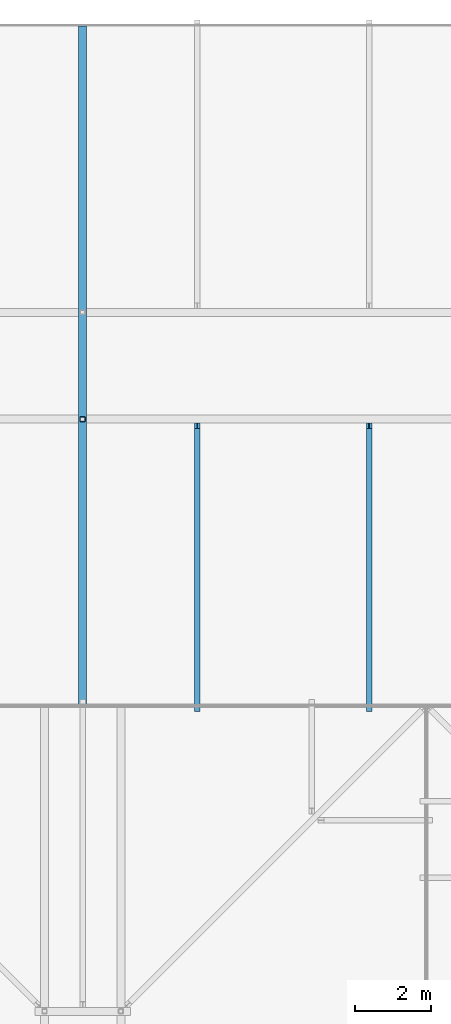
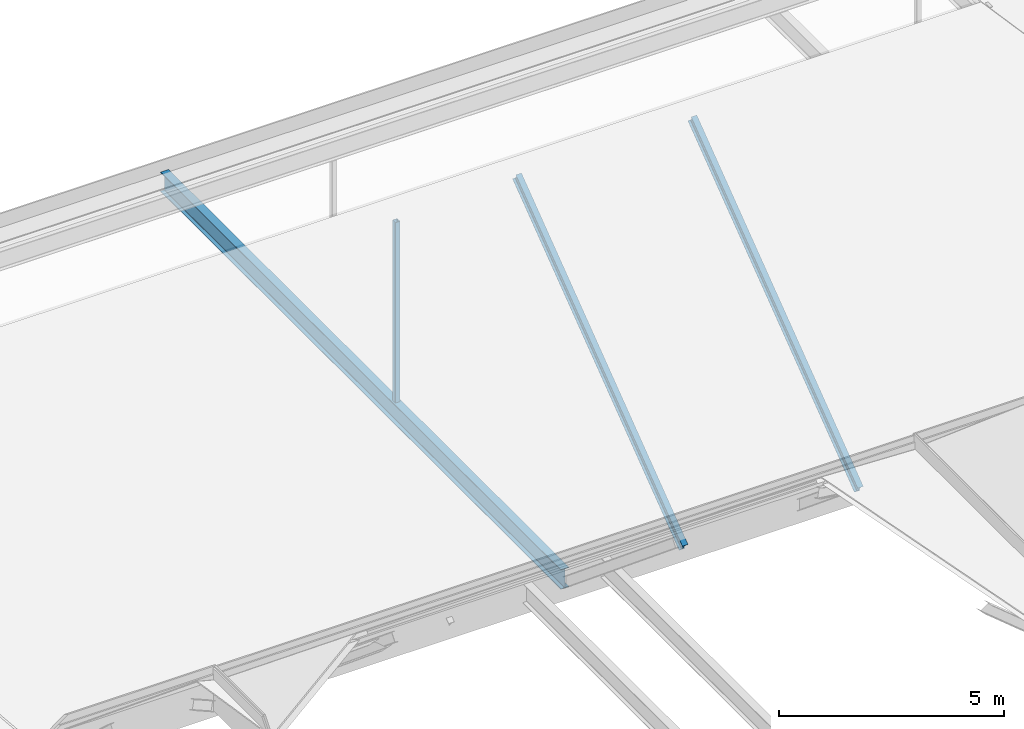
# One storey, part 28 of 57: 3 members, 1 beam.
"""IFC4 building model written with IfcOpenShell, lengths in metres."""

from ifc_helpers import new_model, si_unit, direction, frame, origin, origin_2d, place, context, subcontext, project, spatial, hollow_rectangle, i_section, extrude, material, material_profile, profile_set, type_object, element, save


model = new_model("IFC4")

# Units and contexts
model_context = context("Model", 3, precision=1e-05, world=origin(), true_north=direction((0.0, 1.0)))
body_context = subcontext(model_context, "Body", "Model", "MODEL_VIEW")
ifc_project = project(units=[si_unit("LENGTHUNIT", "METRE"), si_unit("AREAUNIT", "SQUARE_METRE"), si_unit("VOLUMEUNIT", "CUBIC_METRE"), si_unit("PLANEANGLEUNIT", "RADIAN"), si_unit("MASSUNIT", "GRAM", prefix="KILO")], contexts=[model_context])

# Site, building, storey
site_placement = place(None, origin())
site = spatial("IfcSite", under=ifc_project, at=site_placement, CompositionType="ELEMENT")
building_placement = place(site_placement, origin())
building = spatial("IfcBuilding", under=site, at=building_placement, Name="Saffron Lane Theatres", CompositionType="ELEMENT")
storey_placement = place(building_placement, frame((0.0, 0.0, 28.0)))
storey = spatial("IfcBuildingStorey", under=building, at=storey_placement, Name="Upper Roof", CompositionType="ELEMENT", Elevation=28.0)

# Beam
ifc_material_1 = material(Name="Steel Grade 350", Category="steel")
ifc_material_profile_1 = material_profile(ifc_material_1, i_section(OverallWidth=0.208984375, OverallDepth=0.532958984375, WebThickness=0.01025390625, FlangeThickness=0.015625, FilletRadius=0.013916015625, at=origin_2d()))
ifc_profile_set_1 = profile_set([ifc_material_profile_1], Name="Steel Grade 350")
beam_type = type_object("IfcBeamType", Name="ST-CROWN GIRDER 530UB92.4", PredefinedType="BEAM", material=ifc_profile_set_1)
beam_placement = place(storey_placement, frame((33.0, 108.0, 0.2666015625), z_axis=(0.0, 1.0, 0.0), x_axis=(-1.0, 0.0, 0.0)))
element("IfcBeam", 1, at=beam_placement, inside=storey, type_object=beam_type, Name="BK4-G3", PredefinedType="BEAM", context=body_context, shape_type="SweptSolid", body=[
    extrude(i_section(OverallWidth=0.208984375, OverallDepth=0.532958984375, WebThickness=0.01025390625, FlangeThickness=0.015625, FilletRadius=0.013916015625, at=origin_2d()), origin(), (0.0, 0.0, 1.0), 17.800048828125),
])

# Members
ifc_material_2 = material(Name="Steel Grade 350", Category="steel")
ifc_material_profile_2 = material_profile(ifc_material_2, i_section(OverallWidth=0.14599609375, OverallDepth=0.251953125, WebThickness=0.006103515625, FlangeThickness=0.008544921875, FilletRadius=0.011962890625, at=origin_2d()))
ifc_profile_set_2 = profile_set([ifc_material_profile_2], Name="Steel Grade 350")
member_type_1 = type_object("IfcMemberType", Name="ST-JACK RAFTER 250UB31.4", PredefinedType="RAFTER", material=ifc_profile_set_2)
for number, where, z_axis, x_axis, name in (
    (2, (36.0, 107.924072265625, 0.1005859375), (0.0, 0.798250727488, 0.602325307508), (-1.0, 0.0, 0.0), "BK4-K9"),
    (3, (40.5, 107.924072265625, 0.1005859375), (0.0, 0.798250727488, 0.602325307508), (-1.0, 0.0, 0.0), "BK4-K11"),
):
    element("IfcMember", number, at=place(storey_placement, frame(where, z_axis=z_axis, x_axis=x_axis)), inside=storey, type_object=member_type_1, Name=name, PredefinedType="RAFTER", context=body_context, shape_type="SweptSolid", body=[
        extrude(i_section(OverallWidth=0.14599609375, OverallDepth=0.251953125, WebThickness=0.006103515625, FlangeThickness=0.008544921875, FilletRadius=0.011962890625, at=origin_2d()), origin(), (0.0, 0.0, 1.0), 9.279541015625),
    ])
ifc_material_3 = material(Name="Steel Grade 350", Category="steel")
ifc_material_profile_3 = material_profile(ifc_material_3, hollow_rectangle(XDim=0.125, YDim=0.125, WallThickness=0.006103515625, InnerFilletRadius=0.0029296875, OuterFilletRadius=0.009033203125, at=origin_2d()))
ifc_profile_set_3 = profile_set([ifc_material_profile_3], Name="Steel Grade 350")
member_type_2 = type_object("IfcMemberType", Name="ST-STUDIO POST 125x125x6 SHS", PredefinedType="POST", material=ifc_profile_set_3)
member_placement = place(storey_placement, frame((33.0, 115.5, 0.532958984375), z_axis=(0.0, 0.0, 1.0), x_axis=(1.0, 0.0, 0.0)))
element("IfcMember", 4, at=member_placement, inside=storey, type_object=member_type_2, Name="BK4-P3-115.5", PredefinedType="POST", context=body_context, shape_type="SweptSolid", body=[
    extrude(hollow_rectangle(XDim=0.125, YDim=0.125, WallThickness=0.006103515625, InnerFilletRadius=0.0029296875, OuterFilletRadius=0.009033203125, at=origin_2d()), origin(), (0.0, 0.0, 1.0), 4.8935546875),
])

save(model, "model.ifc")
